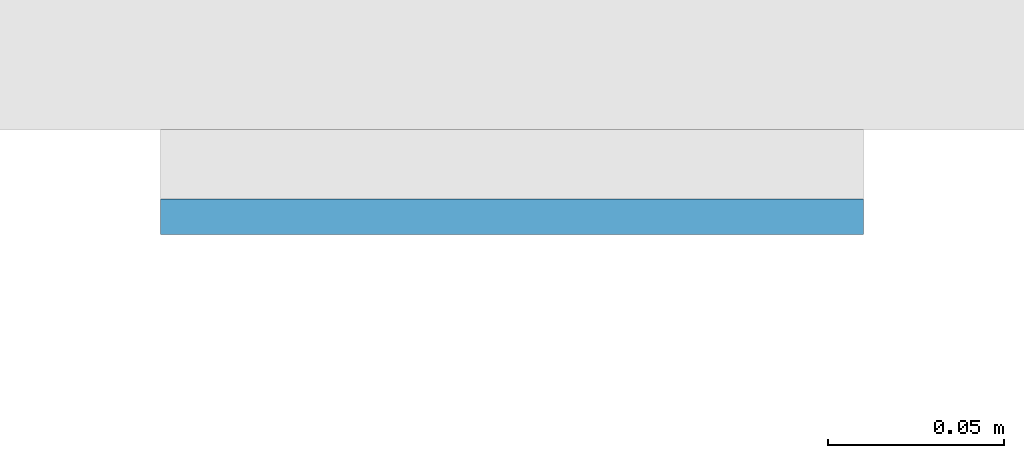
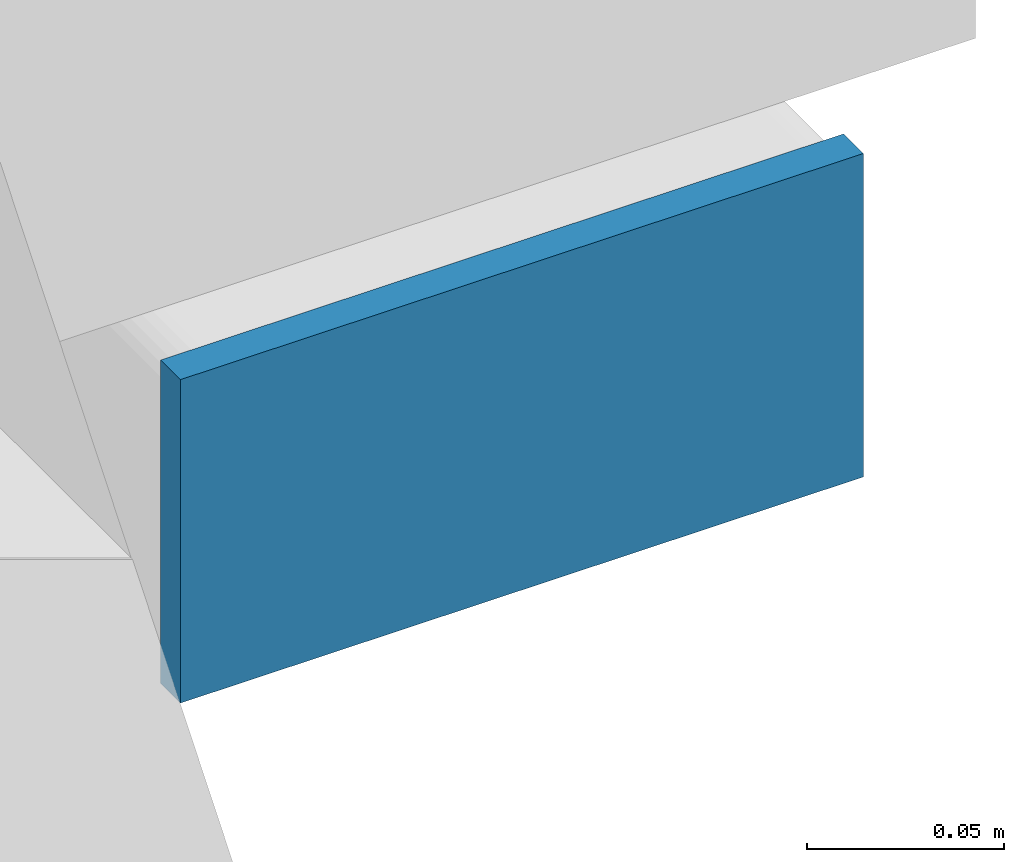
# One storey, part 10 of 21: 1 plate.
"""IFC4 building model written with IfcOpenShell, lengths in metres."""

import ifcopenshell
import ifcopenshell.guid

model = None  # the IFC model being written
_history = None  # IfcOwnerHistory: only IFC2X3 demands one
_inside = {}  # id of a spatial element -> (the spatial element, [elements in it])
_under = {}  # id of a project, library or spatial element -> (it, [spatial elements below it])
_declared = {}  # id of a project -> (the project, [libraries it declares])
_typed = {}  # id of a type object -> (the type object, [elements of that type])
_made_of = {}  # id of a material, layer set ... -> (it, [elements and type objects made of it])


def new_model(schema):
    """Start an empty IFC model of exactly this schema.

    Asked for "IFC4X3", IfcOpenShell would pick the latest addendum, in which some entities
    have other attributes; the version numbers below select the first issue.
    IFC2X3 requires an IfcOwnerHistory on every rooted entity: one is made here for all.
    """
    global model, _history
    if schema == "IFC4X3":
        model = ifcopenshell.file(schema_version=(4, 3, 0, 0))
    else:
        model = ifcopenshell.file(schema=schema)
    _inside.clear()
    _under.clear()
    _declared.clear()
    _typed.clear()
    _made_of.clear()
    _history = None
    if model.schema == "IFC2X3":
        org = make("IfcOrganization", Name="unknown")
        user = make(
            "IfcPersonAndOrganization",
            ThePerson=make("IfcPerson", FamilyName="unknown"),
            TheOrganization=org,
        )
        app = make(
            "IfcApplication",
            ApplicationDeveloper=org,
            Version="unknown",
            ApplicationFullName="unknown",
            ApplicationIdentifier="unknown",
        )
        _history = make(
            "IfcOwnerHistory",
            OwningUser=user,
            OwningApplication=app,
            ChangeAction="ADDED",
            CreationDate=0,
        )
    return model


def make(cls, **values):
    """One entity of the class cls with the attributes given. An attribute that is None is left unset."""
    return model.create_entity(
        cls, **{name: value for name, value in values.items() if value is not None}
    )


def rooted(cls, **values):
    """An entity with a GlobalId (a new one), such as an element, a storey or a relation."""
    return make(cls, GlobalId=ifcopenshell.guid.new(), OwnerHistory=_history, **values)


def si_unit(unit_type, name, prefix=None):
    """IfcSIUnit, for example si_unit("LENGTHUNIT", "METRE", prefix="MILLI")."""
    return make("IfcSIUnit", UnitType=unit_type, Prefix=prefix, Name=name)


def assignment(units):
    """IfcUnitAssignment: the units of a project."""
    return None if units is None else make("IfcUnitAssignment", Units=units)


def point(xyz):
    """IfcCartesianPoint."""
    return None if xyz is None else make("IfcCartesianPoint", Coordinates=xyz)


def direction(xyz):
    """IfcDirection."""
    return None if xyz is None else make("IfcDirection", DirectionRatios=xyz)


def frame(location, z_axis=None, x_axis=None):
    """IfcAxis2Placement3D, a coordinate frame: its origin and axes. An axis left out is left unset."""
    return make(
        "IfcAxis2Placement3D",
        Location=point(location),
        Axis=direction(z_axis),
        RefDirection=direction(x_axis),
    )


def frame_2d(location, x_axis=None):
    """IfcAxis2Placement2D, a coordinate frame in the plane: its origin and x axis."""
    return make(
        "IfcAxis2Placement2D", Location=point(location), RefDirection=direction(x_axis)
    )


def origin():
    """The frame at (0, 0, 0) with its axes left unset."""
    return frame((0.0, 0.0, 0.0))


def origin_2d():
    """The frame at (0, 0) in the plane with its x axis left unset."""
    return frame_2d((0.0, 0.0))


def place(relative_to, where):
    """IfcLocalPlacement: puts the frame where relative to a parent placement (None: the world)."""
    return make(
        "IfcLocalPlacement", PlacementRelTo=relative_to, RelativePlacement=where
    )


def context(
    kind, dimensions, precision=None, world=None, true_north=None, identifier=None
):
    """IfcGeometricRepresentationContext, for example the 3D "Model" context."""
    return make(
        "IfcGeometricRepresentationContext",
        ContextIdentifier=identifier,
        ContextType=kind,
        CoordinateSpaceDimension=dimensions,
        Precision=precision,
        WorldCoordinateSystem=world,
        TrueNorth=true_north,
    )


def subcontext(parent, identifier, kind, view, scale=None):
    """IfcGeometricRepresentationSubContext, for example "Body" below "Model"."""
    return make(
        "IfcGeometricRepresentationSubContext",
        ContextIdentifier=identifier,
        ContextType=kind,
        ParentContext=parent,
        TargetScale=scale,
        TargetView=view,
    )


def project(units=None, contexts=None):
    """IfcProject with its units and contexts."""
    return rooted(
        "IfcProject",
        Name="project",
        RepresentationContexts=contexts,
        UnitsInContext=assignment(units),
    )


def spatial(cls, under=None, at=None, **own):
    """A site, building, storey or space (cls), placed at a placement, below another one or the project."""
    s = rooted(cls, ObjectPlacement=at, **own)
    if under is not None:
        _under.setdefault(under.id(), (under, []))[1].append(s)
    return s


def profile(cls, at=None, kind="AREA", **sizes):
    """A parametric profile (cls). Its sizes go by their IFC names, for example OverallWidth=200.0."""
    return make(cls, ProfileType=kind, Position=at, **sizes)


def rectangle(**sizes):
    """IfcRectangleProfileDef."""
    return profile("IfcRectangleProfileDef", **sizes)


def extrude(swept, where, along, depth):
    """IfcExtrudedAreaSolid: the profile swept, set in the frame where, extruded along a direction by depth."""
    return make(
        "IfcExtrudedAreaSolid",
        SweptArea=swept,
        Position=where,
        ExtrudedDirection=direction(along),
        Depth=depth,
    )


def shape(context_of_items, identifier, shape_type, items):
    """IfcShapeRepresentation: the items that make up one representation, for example the "Body"."""
    return make(
        "IfcShapeRepresentation",
        ContextOfItems=context_of_items,
        RepresentationIdentifier=identifier,
        RepresentationType=shape_type,
        Items=items,
    )


def material(Name=None, Category=None):
    """IfcMaterial."""
    return make("IfcMaterial", Name=Name, Category=Category)


def layer(
    of_material, thickness, ventilated=None, Name=None, Category=None, Priority=None
):
    """IfcMaterialLayer: one layer of a wall or slab, of a material (None: an air gap)."""
    return make(
        "IfcMaterialLayer",
        Material=of_material,
        LayerThickness=thickness,
        IsVentilated=ventilated,
        Name=Name,
        Category=Category,
        Priority=Priority,
    )


def layer_set(layers, Name=None):
    """IfcMaterialLayerSet."""
    return make("IfcMaterialLayerSet", MaterialLayers=layers, LayerSetName=Name)


def made_of(thing, what):
    """Note that an element or type object is made of a material, layer set ...; save() writes the relation."""
    if what is not None:
        _made_of.setdefault(what.id(), (what, []))[1].append(thing)
    return thing


def type_object(cls, material=None, **own):
    """A type object (cls), such as IfcWallType, which elements share."""
    return made_of(rooted(cls, **own), material)


def element(
    cls,
    number,
    at=None,
    inside=None,
    cuts=None,
    type_object=None,
    material=None,
    context=None,
    identifier="Body",
    shape_type=None,
    held_by="IfcProductDefinitionShape",
    body=None,
    shapes=None,
    **own,
):
    """One element of the class cls, such as IfcWall. Its Tag is "e" and its number.

    at: its placement. inside: the storey or other place that contains it. cuts: it is an
    opening in that element (IfcRelVoidsElement). A single representation is given by context,
    identifier, shape_type and body (its items); several are given by shapes. held_by: the class
    of the entity that holds the representations. save() writes the other relations.
    """
    e = rooted(cls, Tag="e%d" % number, ObjectPlacement=at, **own)
    if body is not None:
        shapes = [shape(context, identifier, shape_type, body)]
    if shapes is not None:
        e.Representation = make(held_by, Representations=shapes)
    if inside is not None:
        _inside.setdefault(inside.id(), (inside, []))[1].append(e)
    if cuts is not None:
        rooted(
            "IfcRelVoidsElement", RelatingBuildingElement=cuts, RelatedOpeningElement=e
        )
    if type_object is not None:
        _typed.setdefault(type_object.id(), (type_object, []))[1].append(e)
    return made_of(e, material)


def aggregate(whole, parts):
    """IfcRelAggregates: a whole, such as a stair, and the parts it consists of."""
    return rooted("IfcRelAggregates", RelatingObject=whole, RelatedObjects=parts)


def save(model, path):
    """Write the relations noted so far, then the file.

    IfcRelAggregates (storeys below a building ...), IfcRelContainedInSpatialStructure (elements
    in a storey), IfcRelDefinesByType, IfcRelAssociatesMaterial and IfcRelDeclares: one each for
    every whole, place, type object, material and project.
    """
    for whole, parts in _under.values():
        aggregate(whole, parts)
    for where, things in _inside.values():
        rooted(
            "IfcRelContainedInSpatialStructure",
            RelatedElements=things,
            RelatingStructure=where,
        )
    for kind, things in _typed.values():
        rooted("IfcRelDefinesByType", RelatedObjects=things, RelatingType=kind)
    for what, things in _made_of.values():
        rooted("IfcRelAssociatesMaterial", RelatedObjects=things, RelatingMaterial=what)
    for by, libraries in _declared.values():
        rooted("IfcRelDeclares", RelatingContext=by, RelatedDefinitions=libraries)
    model.write(path)


model = new_model("IFC4")

# Units and contexts
model_context = context("Model", 3, precision=1e-05, world=origin(), true_north=direction((0.0, 1.0)))
body_context = subcontext(model_context, "Body", "Model", "MODEL_VIEW")
ifc_project = project(units=[si_unit("LENGTHUNIT", "METRE"), si_unit("AREAUNIT", "SQUARE_METRE"), si_unit("VOLUMEUNIT", "CUBIC_METRE"), si_unit("PLANEANGLEUNIT", "RADIAN"), si_unit("MASSUNIT", "GRAM", prefix="KILO")], contexts=[model_context])

# Site, building, storey
site_placement = place(None, origin())
site = spatial("IfcSite", under=ifc_project, at=site_placement, CompositionType="ELEMENT")
building_placement = place(site_placement, origin())
building = spatial("IfcBuilding", under=site, at=building_placement, Name="Cleftline Residences", CompositionType="ELEMENT")
storey_placement = place(building_placement, frame((0.0, 0.0, 161.0)))
storey = spatial("IfcBuildingStorey", under=building, at=storey_placement, Name="L42", CompositionType="ELEMENT", Elevation=161.0)

# Plate
ifc_material = material(Name="Steel S355, hot-dip galvanised", Category="steel")
ifc_layer = layer(ifc_material, 0.010009765625)
ifc_layer_set = layer_set([ifc_layer], Name="BAGUETTE CARRIER END PLATE 200X100X10")
plate_type = type_object("IfcPlateType", Name="BAGUETTE CARRIER END PLATE 200X100X10", PredefinedType="USERDEFINED", material=ifc_layer_set)
plate_placement = place(storey_placement, frame((66.85009765625, 3.695068359375, -0.10009765625), z_axis=(0.0, 0.0, 1.0), x_axis=(1.0, 0.0, 0.0)))
element("IfcPlate", 1, at=plate_placement, inside=storey, type_object=plate_type, Name="Baguette carrier end plate", ObjectType="BAGUETTE CARRIER END PLATE", PredefinedType="USERDEFINED", context=body_context, shape_type="SweptSolid", body=[
    extrude(rectangle(XDim=0.199951171875, YDim=0.010009765625, at=origin_2d()), origin(), (0.0, 0.0, 1.0), 0.10009765625),
])

save(model, "model.ifc")
